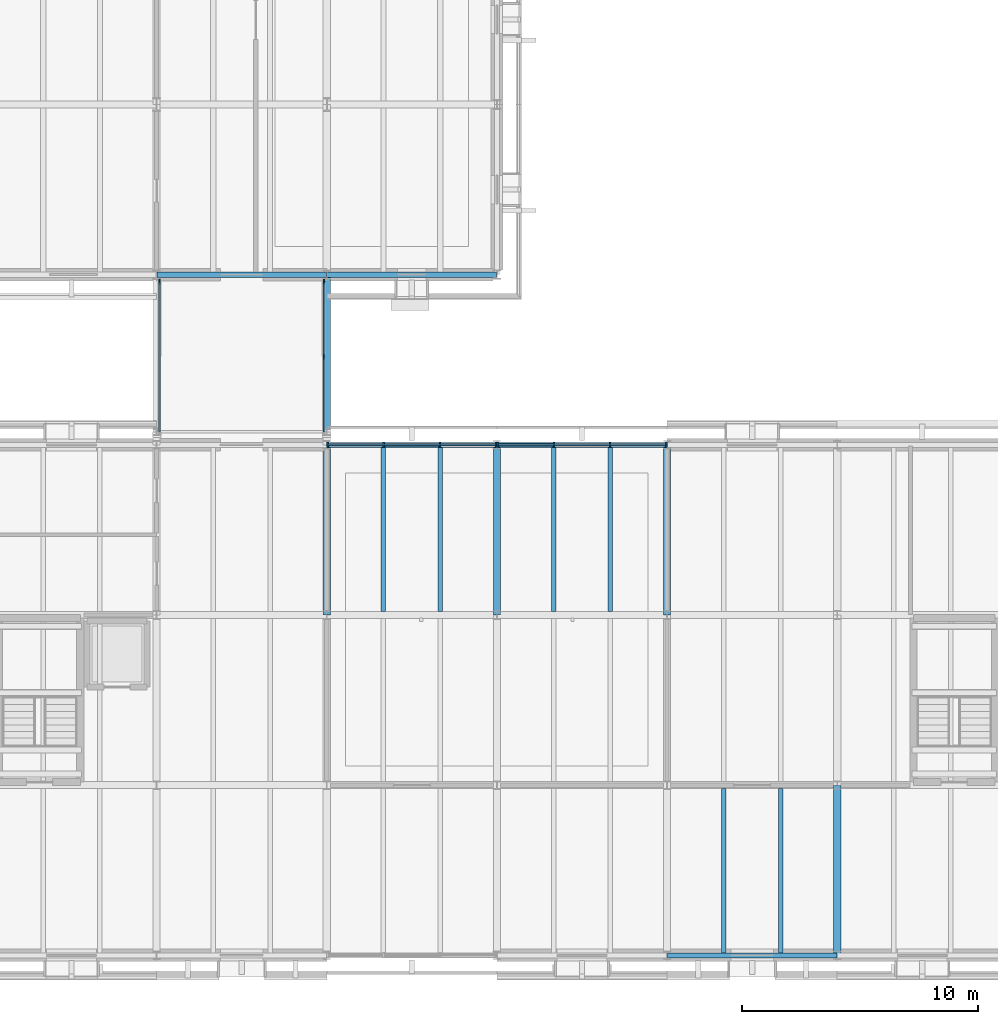
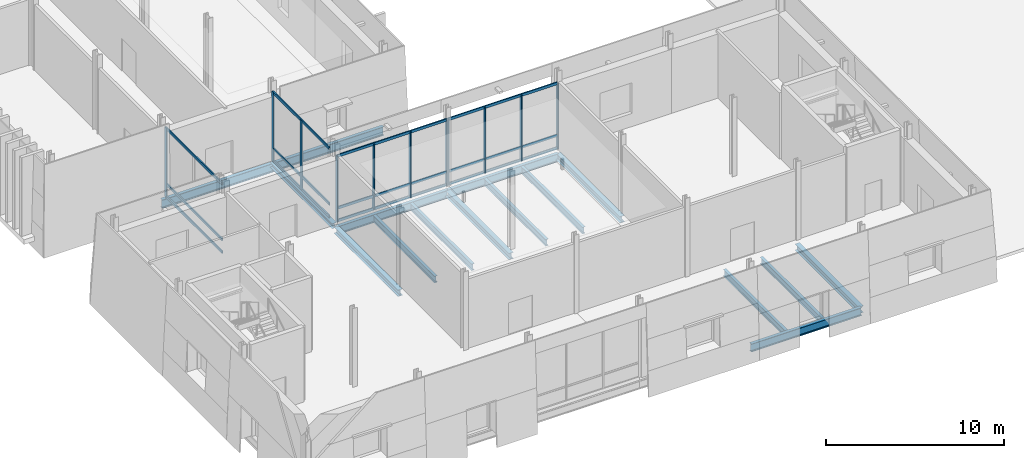
# One storey, part 22 of 120: 23 members, 16 beams, 4 elements without a shape of their own.
"""IFC4 building model written with IfcOpenShell, lengths in metres."""

from ifc_helpers import new_model, si_unit, direction, frame, origin, origin_2d, place, context, subcontext, project, spatial, rectangle, i_section, extrude, material, layer, layer_set, material_profile, profile_set, type_object, element, aggregate, save


model = new_model("IFC4")

# Units and contexts
model_context = context("Model", 3, precision=1e-05, world=origin(), true_north=direction((0.0, 1.0)))
body_context = subcontext(model_context, "Body", "Model", "MODEL_VIEW")
ifc_project = project(units=[si_unit("LENGTHUNIT", "METRE"), si_unit("AREAUNIT", "SQUARE_METRE"), si_unit("VOLUMEUNIT", "CUBIC_METRE"), si_unit("PLANEANGLEUNIT", "RADIAN"), si_unit("MASSUNIT", "GRAM", prefix="KILO")], contexts=[model_context])

# Site, building, storey
site_placement = place(None, origin())
site = spatial("IfcSite", under=ifc_project, at=site_placement, CompositionType="ELEMENT")
building_placement = place(site_placement, origin())
building = spatial("IfcBuilding", under=site, at=building_placement, Name="Narikvali Park Central Library", CompositionType="ELEMENT")
storey_placement = place(building_placement, origin())
storey = spatial("IfcBuildingStorey", under=building, at=storey_placement, Name="L00", CompositionType="ELEMENT", Elevation=0.0)

# Beams
ifc_material_1 = material(Name="Steel S355", Category="steel")
ifc_material_profile_1 = material_profile(ifc_material_1, i_section(OverallWidth=0.300048828125, OverallDepth=0.35009765625, WebThickness=0.010009765625, FlangeThickness=0.017578125, FilletRadius=0.027099609375, at=origin_2d()), Name="HEA 360")
ifc_profile_set_1 = profile_set([ifc_material_profile_1], Name="Steel S355")
beam_type_1 = type_object("IfcBeamType", Name="Bridge Sliding Girder HEA360", PredefinedType="BEAM", material=ifc_profile_set_1)
beam_1_placement = place(storey_placement, frame((14.39990234375, 21.820068359375, -0.425048828125), z_axis=(0.0, 1.0, 0.0), x_axis=(-1.0, 0.0, 0.0)))
element("IfcBeam", 1, at=beam_1_placement, inside=storey, type_object=beam_type_1, Name="BRG-5 L00 Sliding Bridge Girder 2-1", PredefinedType="BEAM", context=body_context, shape_type="SweptSolid", body=[
    extrude(i_section(OverallWidth=0.300048828125, OverallDepth=0.35009765625, WebThickness=0.010009765625, FlangeThickness=0.017578125, FilletRadius=0.027099609375, at=origin_2d()), origin(), (0.0, 0.0, 1.0), 6.969970703125),
])
ifc_material_profile_2 = material_profile(ifc_material_1, i_section(OverallWidth=0.18994140625, OverallDepth=0.449951171875, WebThickness=0.009521484375, FlangeThickness=0.0146484375, FilletRadius=0.02099609375, at=origin_2d()), Name="IPE 450")
ifc_profile_set_2 = profile_set([ifc_material_profile_2], Name="Steel S355")
beam_type_2 = type_object("IfcBeamType", Name="Composite Floor Joist IPE450", PredefinedType="JOIST", material=ifc_profile_set_2)
for number, where, z_axis, x_axis, name in (
    (2, (16.800048828125, 14.550048828125, -0.544921875), (0.0, 1.0, 0.0), (-1.0, 0.0, 0.0), "V2 L00 Composite Joist 1"),
    (3, (19.199951171875, 14.550048828125, -0.544921875), (0.0, 1.0, 0.0), (-1.0, 0.0, 0.0), "V2 L00 Composite Joist 2"),
    (4, (24.0, 14.550048828125, -0.544921875), (0.0, 1.0, 0.0), (-1.0, 0.0, 0.0), "V2 L00 Composite Joist 1"),
    (5, (26.39990234375, 14.550048828125, -0.544921875), (0.0, 1.0, 0.0), (-1.0, 0.0, 0.0), "V2 L00 Composite Joist 2"),
    (6, (31.199951171875, 0.10498046875, -0.544921875), (0.0, 1.0, 0.0), (-1.0, 0.0, 0.0), "V2 L00 Composite Joist 1"),
    (7, (33.60009765625, 0.10498046875, -0.544921875), (0.0, 1.0, 0.0), (-1.0, 0.0, 0.0), "V2 L00 Composite Joist 2"),
):
    element("IfcBeam", number, at=place(storey_placement, frame(where, z_axis=z_axis, x_axis=x_axis)), inside=storey, type_object=beam_type_2, Name=name, PredefinedType="JOIST", context=body_context, shape_type="SweptSolid", body=[
        extrude(i_section(OverallWidth=0.18994140625, OverallDepth=0.449951171875, WebThickness=0.009521484375, FlangeThickness=0.0146484375, FilletRadius=0.02099609375, at=origin_2d()), origin(), (0.0, 0.0, 1.0), 6.945068359375),
    ])

# Curtain wall, members
ifc_material_2 = material(Name="Anodised Bronze Aluminium", Category="aluminium")
ifc_layer_1 = layer(ifc_material_2, 0.219970703125, Name="Anodised Bronze Aluminium")
ifc_layer_set_1 = layer_set([ifc_layer_1], Name="Anodised Bronze Aluminium")
curtain_wall_type_1 = type_object("IfcCurtainWallType", Name="Atrium Tall Curtain Wall System", PredefinedType="NOTDEFINED", material=ifc_layer_set_1)
curtain_wall_1_placement = place(storey_placement, origin())
curtain_wall_1 = element("IfcCurtainWall", 8, at=curtain_wall_1_placement, inside=storey, type_object=curtain_wall_type_1, Name="Atrium Tall Curtain Wall System CW-V2-L00-N-03", PredefinedType="NOTDEFINED")
ifc_material_profile_3 = material_profile(ifc_material_2, rectangle(XDim=0.074951171875, YDim=0.219970703125, at=origin_2d()), Name="CW MULLION 75x220")
ifc_profile_set_3 = profile_set([ifc_material_profile_3], Name="Anodised Bronze Aluminium")
member_type_1 = type_object("IfcMemberType", Name="Curtain Wall Heavy Mullion 75x220", PredefinedType="MULLION", material=ifc_profile_set_3)
member_1_placement = place(storey_placement, frame((28.761962890625, 21.60009765625, -0.010009765625), z_axis=(0.0, 0.0, 1.0), x_axis=(1.0, 0.0, 0.0)))
member_1 = element("IfcMember", 9, at=member_1_placement, type_object=member_type_1, Name="CW-V2-L00-N-03 Mullion 00", PredefinedType="MULLION", context=body_context, shape_type="SweptSolid", body=[
    extrude(rectangle(XDim=0.074951171875, YDim=0.219970703125, at=origin_2d()), origin(), (0.0, 0.0, 1.0), 4.510009765625),
])
member_2_placement = place(storey_placement, frame((26.38720703125, 21.60009765625, -0.010009765625), z_axis=(0.0, 0.0, 1.0), x_axis=(1.0, 0.0, 0.0)))
member_2 = element("IfcMember", 10, at=member_2_placement, type_object=member_type_1, Name="CW-V2-L00-N-03 Mullion 01", PredefinedType="MULLION", context=body_context, shape_type="SweptSolid", body=[
    extrude(rectangle(XDim=0.074951171875, YDim=0.219970703125, at=origin_2d()), origin(), (0.0, 0.0, 1.0), 4.510009765625),
])
member_3_placement = place(storey_placement, frame((24.0126953125, 21.60009765625, -0.010009765625), z_axis=(0.0, 0.0, 1.0), x_axis=(1.0, 0.0, 0.0)))
member_3 = element("IfcMember", 11, at=member_3_placement, type_object=member_type_1, Name="CW-V2-L00-N-03 Mullion 02", PredefinedType="MULLION", context=body_context, shape_type="SweptSolid", body=[
    extrude(rectangle(XDim=0.074951171875, YDim=0.219970703125, at=origin_2d()), origin(), (0.0, 0.0, 1.0), 4.510009765625),
])
member_4_placement = place(storey_placement, frame((21.637939453125, 21.60009765625, -0.010009765625), z_axis=(0.0, 0.0, 1.0), x_axis=(1.0, 0.0, 0.0)))
member_4 = element("IfcMember", 12, at=member_4_placement, type_object=member_type_1, Name="CW-V2-L00-N-03 Mullion 03", PredefinedType="MULLION", context=body_context, shape_type="SweptSolid", body=[
    extrude(rectangle(XDim=0.074951171875, YDim=0.219970703125, at=origin_2d()), origin(), (0.0, 0.0, 1.0), 4.510009765625),
])

curtain_wall_2_placement = place(storey_placement, origin())
curtain_wall_2 = element("IfcCurtainWall", 13, at=curtain_wall_2_placement, inside=storey, type_object=curtain_wall_type_1, Name="Atrium Tall Curtain Wall System CW-V2-L00-N-04", PredefinedType="NOTDEFINED")
member_5_placement = place(storey_placement, frame((21.56201171875, 21.60009765625, -0.010009765625), z_axis=(0.0, 0.0, 1.0), x_axis=(1.0, 0.0, 0.0)))
member_5 = element("IfcMember", 14, at=member_5_placement, type_object=member_type_1, Name="CW-V2-L00-N-04 Mullion 00", PredefinedType="MULLION", context=body_context, shape_type="SweptSolid", body=[
    extrude(rectangle(XDim=0.074951171875, YDim=0.219970703125, at=origin_2d()), origin(), (0.0, 0.0, 1.0), 4.510009765625),
])
member_6_placement = place(storey_placement, frame((19.187255859375, 21.60009765625, -0.010009765625), z_axis=(0.0, 0.0, 1.0), x_axis=(1.0, 0.0, 0.0)))
member_6 = element("IfcMember", 15, at=member_6_placement, type_object=member_type_1, Name="CW-V2-L00-N-04 Mullion 01", PredefinedType="MULLION", context=body_context, shape_type="SweptSolid", body=[
    extrude(rectangle(XDim=0.074951171875, YDim=0.219970703125, at=origin_2d()), origin(), (0.0, 0.0, 1.0), 4.510009765625),
])
member_7_placement = place(storey_placement, frame((16.812744140625, 21.60009765625, -0.010009765625), z_axis=(0.0, 0.0, 1.0), x_axis=(1.0, 0.0, 0.0)))
member_7 = element("IfcMember", 16, at=member_7_placement, type_object=member_type_1, Name="CW-V2-L00-N-04 Mullion 02", PredefinedType="MULLION", context=body_context, shape_type="SweptSolid", body=[
    extrude(rectangle(XDim=0.074951171875, YDim=0.219970703125, at=origin_2d()), origin(), (0.0, 0.0, 1.0), 4.510009765625),
])
member_8_placement = place(storey_placement, frame((14.43798828125, 21.60009765625, -0.010009765625), z_axis=(0.0, 0.0, 1.0), x_axis=(1.0, 0.0, 0.0)))
member_8 = element("IfcMember", 17, at=member_8_placement, type_object=member_type_1, Name="CW-V2-L00-N-04 Mullion 03", PredefinedType="MULLION", context=body_context, shape_type="SweptSolid", body=[
    extrude(rectangle(XDim=0.074951171875, YDim=0.219970703125, at=origin_2d()), origin(), (0.0, 0.0, 1.0), 4.510009765625),
])

# Curtain wall, member
ifc_layer_2 = layer(ifc_material_2, 0.219970703125, Name="Anodised Bronze Aluminium")
ifc_layer_set_2 = layer_set([ifc_layer_2], Name="Anodised Bronze Aluminium")
curtain_wall_type_2 = type_object("IfcCurtainWallType", Name="Bridge Covered Passage Glazing System", PredefinedType="NOTDEFINED", material=ifc_layer_set_2)
curtain_wall_3_placement = place(storey_placement, origin())
curtain_wall_3 = element("IfcCurtainWall", 18, at=curtain_wall_3_placement, inside=storey, type_object=curtain_wall_type_2, Name="Bridge Covered Passage Glazing System CW-BRG-5-L00-W1", PredefinedType="NOTDEFINED")
member_9_placement = place(storey_placement, frame((7.320068359375, 28.5, -0.010009765625), z_axis=(0.0, 0.0, 1.0), x_axis=(1.0, 0.0, 0.0)))
member_9 = element("IfcMember", 19, at=member_9_placement, type_object=member_type_1, Name="CW-BRG-5-L00-W1 Mullion 02", PredefinedType="MULLION", context=body_context, shape_type="SweptSolid", body=[
    extrude(rectangle(XDim=0.074951171875, YDim=0.219970703125, at=origin_2d()), origin(), (0.0, 0.0, 1.0), 4.760009765625),
])

# Curtain wall, members
curtain_wall_4_placement = place(storey_placement, origin())
curtain_wall_4 = element("IfcCurtainWall", 20, at=curtain_wall_4_placement, inside=storey, type_object=curtain_wall_type_2, Name="Bridge Covered Passage Glazing System CW-BRG-5-L00-E1", PredefinedType="NOTDEFINED")
member_10_placement = place(storey_placement, frame((14.280029296875, 25.324951171875, -0.010009765625), z_axis=(0.0, 0.0, 1.0), x_axis=(1.0, 0.0, 0.0)))
member_10 = element("IfcMember", 21, at=member_10_placement, type_object=member_type_1, Name="CW-BRG-5-L00-E1 Mullion 01", PredefinedType="MULLION", context=body_context, shape_type="SweptSolid", body=[
    extrude(rectangle(XDim=0.074951171875, YDim=0.219970703125, at=origin_2d()), origin(), (0.0, 0.0, 1.0), 4.760009765625),
])
member_11_placement = place(storey_placement, frame((14.280029296875, 28.5, -0.010009765625), z_axis=(0.0, 0.0, 1.0), x_axis=(1.0, 0.0, 0.0)))
member_11 = element("IfcMember", 22, at=member_11_placement, type_object=member_type_1, Name="CW-BRG-5-L00-E1 Mullion 02", PredefinedType="MULLION", context=body_context, shape_type="SweptSolid", body=[
    extrude(rectangle(XDim=0.074951171875, YDim=0.219970703125, at=origin_2d()), origin(), (0.0, 0.0, 1.0), 4.760009765625),
])

# Member
ifc_material_profile_4 = material_profile(ifc_material_2, rectangle(XDim=0.074951171875, YDim=0.179931640625, at=origin_2d()), Name="CW TRANSOM 75x180")
ifc_profile_set_4 = profile_set([ifc_material_profile_4], Name="Anodised Bronze Aluminium")
member_type_2 = type_object("IfcMemberType", Name="Curtain Wall Heavy Transom 75x180", PredefinedType="USERDEFINED", material=ifc_profile_set_4)
member_12_placement = place(storey_placement, frame((28.761962890625, 21.60009765625, 0.030029296875), z_axis=(-1.0, 0.0, 0.0), x_axis=(0.0, -1.0, 0.0)))
member_12 = element("IfcMember", 23, at=member_12_placement, type_object=member_type_2, Name="CW-V2-L00-N-03 Transom 00", ObjectType="TRANSOM", PredefinedType="USERDEFINED", context=body_context, shape_type="SweptSolid", body=[
    extrude(rectangle(XDim=0.074951171875, YDim=0.179931640625, at=origin_2d()), origin(), (0.0, 0.0, 1.0), 7.1240234375),
])

member_13_placement = place(storey_placement, frame((28.761962890625, 21.60009765625, 0.89990234375), z_axis=(-1.0, 0.0, 0.0), x_axis=(0.0, -1.0, 0.0)))
member_13 = element("IfcMember", 24, at=member_13_placement, type_object=member_type_2, Name="CW-V2-L00-N-03 Transom 01", ObjectType="TRANSOM", PredefinedType="USERDEFINED", context=body_context, shape_type="SweptSolid", body=[
    extrude(rectangle(XDim=0.074951171875, YDim=0.179931640625, at=origin_2d()), origin(), (0.0, 0.0, 1.0), 7.1240234375),
])

member_14_placement = place(storey_placement, frame((28.761962890625, 21.60009765625, 4.469970703125), z_axis=(-1.0, 0.0, 0.0), x_axis=(0.0, -1.0, 0.0)))
member_14 = element("IfcMember", 25, at=member_14_placement, type_object=member_type_2, Name="CW-V2-L00-N-03 Transom 02", ObjectType="TRANSOM", PredefinedType="USERDEFINED", context=body_context, shape_type="SweptSolid", body=[
    extrude(rectangle(XDim=0.074951171875, YDim=0.179931640625, at=origin_2d()), origin(), (0.0, 0.0, 1.0), 7.1240234375),
])

aggregate(curtain_wall_1, [member_1, member_2, member_3, member_4, member_12, member_13, member_14])

member_15_placement = place(storey_placement, frame((21.56201171875, 21.60009765625, 0.030029296875), z_axis=(-1.0, 0.0, 0.0), x_axis=(0.0, -1.0, 0.0)))
member_15 = element("IfcMember", 26, at=member_15_placement, type_object=member_type_2, Name="CW-V2-L00-N-04 Transom 00", ObjectType="TRANSOM", PredefinedType="USERDEFINED", context=body_context, shape_type="SweptSolid", body=[
    extrude(rectangle(XDim=0.074951171875, YDim=0.179931640625, at=origin_2d()), origin(), (0.0, 0.0, 1.0), 7.1240234375),
])

member_16_placement = place(storey_placement, frame((21.56201171875, 21.60009765625, 0.89990234375), z_axis=(-1.0, 0.0, 0.0), x_axis=(0.0, -1.0, 0.0)))
member_16 = element("IfcMember", 27, at=member_16_placement, type_object=member_type_2, Name="CW-V2-L00-N-04 Transom 01", ObjectType="TRANSOM", PredefinedType="USERDEFINED", context=body_context, shape_type="SweptSolid", body=[
    extrude(rectangle(XDim=0.074951171875, YDim=0.179931640625, at=origin_2d()), origin(), (0.0, 0.0, 1.0), 7.1240234375),
])

member_17_placement = place(storey_placement, frame((21.56201171875, 21.60009765625, 4.469970703125), z_axis=(-1.0, 0.0, 0.0), x_axis=(0.0, -1.0, 0.0)))
member_17 = element("IfcMember", 28, at=member_17_placement, type_object=member_type_2, Name="CW-V2-L00-N-04 Transom 02", ObjectType="TRANSOM", PredefinedType="USERDEFINED", context=body_context, shape_type="SweptSolid", body=[
    extrude(rectangle(XDim=0.074951171875, YDim=0.179931640625, at=origin_2d()), origin(), (0.0, 0.0, 1.0), 7.1240234375),
])

aggregate(curtain_wall_2, [member_5, member_6, member_7, member_8, member_15, member_16, member_17])

member_18_placement = place(storey_placement, frame((7.320068359375, 22.14990234375, 0.030029296875), z_axis=(0.0, 1.0, 0.0), x_axis=(-1.0, 0.0, 0.0)))
member_18 = element("IfcMember", 29, at=member_18_placement, type_object=member_type_2, Name="CW-BRG-5-L00-W1 Transom 00", ObjectType="TRANSOM", PredefinedType="USERDEFINED", context=body_context, shape_type="SweptSolid", body=[
    extrude(rectangle(XDim=0.074951171875, YDim=0.179931640625, at=origin_2d()), origin(), (0.0, 0.0, 1.0), 6.35009765625),
])

member_19_placement = place(storey_placement, frame((7.320068359375, 22.14990234375, 0.89990234375), z_axis=(0.0, 1.0, 0.0), x_axis=(-1.0, 0.0, 0.0)))
member_19 = element("IfcMember", 30, at=member_19_placement, type_object=member_type_2, Name="CW-BRG-5-L00-W1 Transom 01", ObjectType="TRANSOM", PredefinedType="USERDEFINED", context=body_context, shape_type="SweptSolid", body=[
    extrude(rectangle(XDim=0.074951171875, YDim=0.179931640625, at=origin_2d()), origin(), (0.0, 0.0, 1.0), 6.35009765625),
])

member_20_placement = place(storey_placement, frame((7.320068359375, 22.14990234375, 4.719970703125), z_axis=(0.0, 1.0, 0.0), x_axis=(-1.0, 0.0, 0.0)))
member_20 = element("IfcMember", 31, at=member_20_placement, type_object=member_type_2, Name="CW-BRG-5-L00-W1 Transom 02", ObjectType="TRANSOM", PredefinedType="USERDEFINED", context=body_context, shape_type="SweptSolid", body=[
    extrude(rectangle(XDim=0.074951171875, YDim=0.179931640625, at=origin_2d()), origin(), (0.0, 0.0, 1.0), 6.35009765625),
])

aggregate(curtain_wall_3, [member_9, member_18, member_19, member_20])

member_21_placement = place(storey_placement, frame((14.280029296875, 22.14990234375, 0.030029296875), z_axis=(0.0, 1.0, 0.0), x_axis=(-1.0, 0.0, 0.0)))
member_21 = element("IfcMember", 32, at=member_21_placement, type_object=member_type_2, Name="CW-BRG-5-L00-E1 Transom 00", ObjectType="TRANSOM", PredefinedType="USERDEFINED", context=body_context, shape_type="SweptSolid", body=[
    extrude(rectangle(XDim=0.074951171875, YDim=0.179931640625, at=origin_2d()), origin(), (0.0, 0.0, 1.0), 6.35009765625),
])

member_22_placement = place(storey_placement, frame((14.280029296875, 22.14990234375, 0.89990234375), z_axis=(0.0, 1.0, 0.0), x_axis=(-1.0, 0.0, 0.0)))
member_22 = element("IfcMember", 33, at=member_22_placement, type_object=member_type_2, Name="CW-BRG-5-L00-E1 Transom 01", ObjectType="TRANSOM", PredefinedType="USERDEFINED", context=body_context, shape_type="SweptSolid", body=[
    extrude(rectangle(XDim=0.074951171875, YDim=0.179931640625, at=origin_2d()), origin(), (0.0, 0.0, 1.0), 6.35009765625),
])

member_23_placement = place(storey_placement, frame((14.280029296875, 22.14990234375, 4.719970703125), z_axis=(0.0, 1.0, 0.0), x_axis=(-1.0, 0.0, 0.0)))
member_23 = element("IfcMember", 34, at=member_23_placement, type_object=member_type_2, Name="CW-BRG-5-L00-E1 Transom 02", ObjectType="TRANSOM", PredefinedType="USERDEFINED", context=body_context, shape_type="SweptSolid", body=[
    extrude(rectangle(XDim=0.074951171875, YDim=0.179931640625, at=origin_2d()), origin(), (0.0, 0.0, 1.0), 6.35009765625),
])

aggregate(curtain_wall_4, [member_10, member_11, member_21, member_22, member_23])

# Beams
ifc_material_profile_5 = material_profile(ifc_material_1, i_section(OverallWidth=0.2099609375, OverallDepth=0.550048828125, WebThickness=0.010986328125, FlangeThickness=0.01708984375, FilletRadius=0.02392578125, at=origin_2d()), Name="IPE 550")
ifc_profile_set_5 = profile_set([ifc_material_profile_5], Name="Steel S355")
beam_type_3 = type_object("IfcBeamType", Name="Perimeter Spandrel IPE550", PredefinedType="SPANDREL", material=ifc_profile_set_5)
beam_2_placement = place(storey_placement, frame((28.80810546875, 0.0, -0.594970703125), z_axis=(1.0, 0.0, 0.0), x_axis=(0.0, 1.0, 0.0)))
element("IfcBeam", 35, at=beam_2_placement, inside=storey, type_object=beam_type_3, Name="V2 L00 Girder X", PredefinedType="SPANDREL", context=body_context, shape_type="SweptSolid", body=[
    extrude(i_section(OverallWidth=0.2099609375, OverallDepth=0.550048828125, WebThickness=0.010986328125, FlangeThickness=0.01708984375, FilletRadius=0.02392578125, at=origin_2d()), origin(), (0.0, 0.0, 1.0), 7.183837890625),
])
for number, where, z_axis, x_axis, name in (
    (36, (14.407958984375, 21.60009765625, -0.594970703125), (1.0, 0.0, 0.0), (0.0, 1.0, 0.0), "V2 L00 Girder X"),
    (37, (21.60791015625, 21.60009765625, -0.594970703125), (1.0, 0.0, 0.0), (0.0, 1.0, 0.0), "V2 L00 Girder X"),
):
    element("IfcBeam", number, at=place(storey_placement, frame(where, z_axis=z_axis, x_axis=x_axis)), inside=storey, type_object=beam_type_3, Name=name, PredefinedType="SPANDREL", context=body_context, shape_type="SweptSolid", body=[
        extrude(i_section(OverallWidth=0.2099609375, OverallDepth=0.550048828125, WebThickness=0.010986328125, FlangeThickness=0.01708984375, FilletRadius=0.02392578125, at=origin_2d()), origin(), (0.0, 0.0, 1.0), 7.18408203125),
    ])
ifc_material_profile_6 = material_profile(ifc_material_1, i_section(OverallWidth=0.219970703125, OverallDepth=0.60009765625, WebThickness=0.011962890625, FlangeThickness=0.01904296875, FilletRadius=0.02392578125, at=origin_2d()), Name="IPE 600")
ifc_profile_set_6 = profile_set([ifc_material_profile_6], Name="Steel S355")
beam_type_4 = type_object("IfcBeamType", Name="Perimeter Spandrel IPE600", PredefinedType="SPANDREL", material=ifc_profile_set_6)
for number, where, z_axis, x_axis, name in (
    (38, (7.2080078125, 28.800048828125, -0.6201171875), (1.0, 0.0, 0.0), (0.0, 1.0, 0.0), "V5 L00 Girder X"),
    (39, (14.407958984375, 28.800048828125, -0.6201171875), (1.0, 0.0, 0.0), (0.0, 1.0, 0.0), "V5 L00 Girder X"),
):
    element("IfcBeam", number, at=place(storey_placement, frame(where, z_axis=z_axis, x_axis=x_axis)), inside=storey, type_object=beam_type_4, Name=name, PredefinedType="SPANDREL", context=body_context, shape_type="SweptSolid", body=[
        extrude(i_section(OverallWidth=0.219970703125, OverallDepth=0.60009765625, WebThickness=0.011962890625, FlangeThickness=0.01904296875, FilletRadius=0.02392578125, at=origin_2d()), origin(), (0.0, 0.0, 1.0), 7.18408203125),
    ])
ifc_material_profile_7 = material_profile(ifc_material_1, i_section(OverallWidth=0.300048828125, OverallDepth=0.43994140625, WebThickness=0.011474609375, FlangeThickness=0.02099609375, FilletRadius=0.027099609375, at=origin_2d()), Name="HEA 450")
ifc_profile_set_7 = profile_set([ifc_material_profile_7], Name="Steel S355")
beam_type_5 = type_object("IfcBeamType", Name="Primary Girder HEA450", PredefinedType="BEAM", material=ifc_profile_set_7)
for number, where, z_axis, x_axis, name in (
    (40, (14.39990234375, 14.407958984375, -0.5400390625), (0.0, 1.0, 0.0), (-1.0, 0.0, 0.0), "V2 L00 Girder Y"),
    (41, (21.60009765625, 14.407958984375, -0.5400390625), (0.0, 1.0, 0.0), (-1.0, 0.0, 0.0), "V2 L00 Girder Y"),
    (42, (28.800048828125, 14.407958984375, -0.5400390625), (0.0, 1.0, 0.0), (-1.0, 0.0, 0.0), "V2 L00 Girder Y"),
):
    element("IfcBeam", number, at=place(storey_placement, frame(where, z_axis=z_axis, x_axis=x_axis)), inside=storey, type_object=beam_type_5, Name=name, PredefinedType="BEAM", context=body_context, shape_type="SweptSolid", body=[
        extrude(i_section(OverallWidth=0.300048828125, OverallDepth=0.43994140625, WebThickness=0.011474609375, FlangeThickness=0.02099609375, FilletRadius=0.027099609375, at=origin_2d()), origin(), (0.0, 0.0, 1.0), 7.18408203125),
    ])
beam_3_placement = place(storey_placement, frame((36.0, 0.008056640625, -0.5400390625), z_axis=(0.0, 1.0, 0.0), x_axis=(-1.0, 0.0, 0.0)))
element("IfcBeam", 43, at=beam_3_placement, inside=storey, type_object=beam_type_5, Name="V2 L00 Girder Y", PredefinedType="BEAM", context=body_context, shape_type="SweptSolid", body=[
    extrude(i_section(OverallWidth=0.300048828125, OverallDepth=0.43994140625, WebThickness=0.011474609375, FlangeThickness=0.02099609375, FilletRadius=0.027099609375, at=origin_2d()), origin(), (0.0, 0.0, 1.0), 7.183837890625),
])

save(model, "model.ifc")
